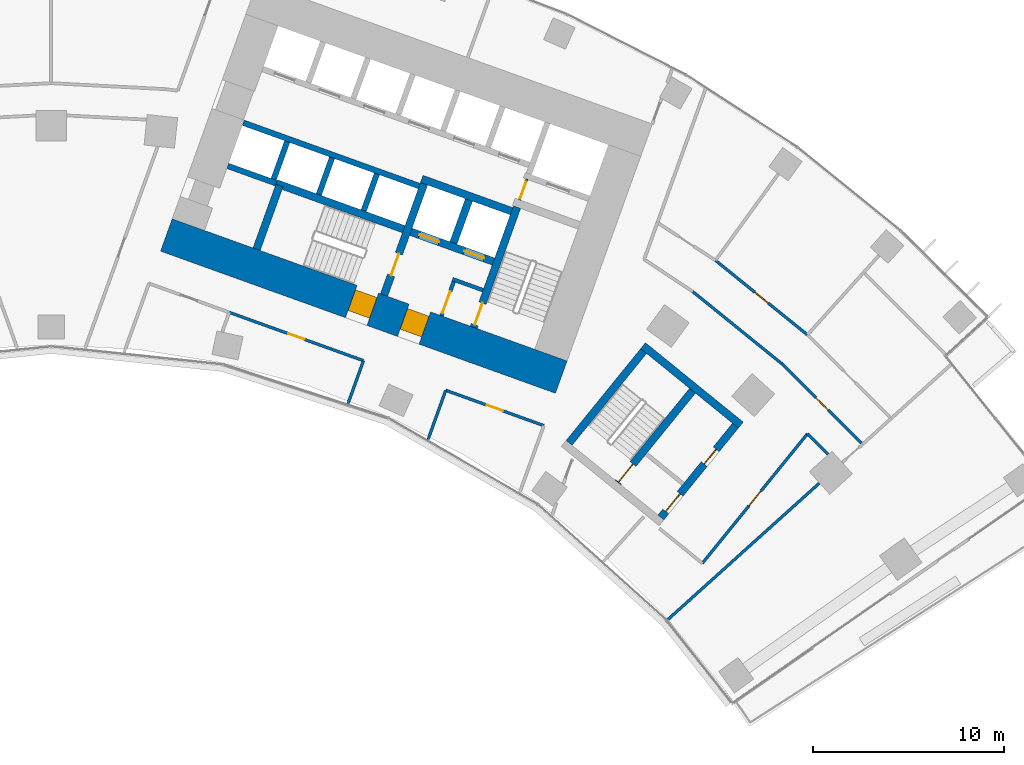
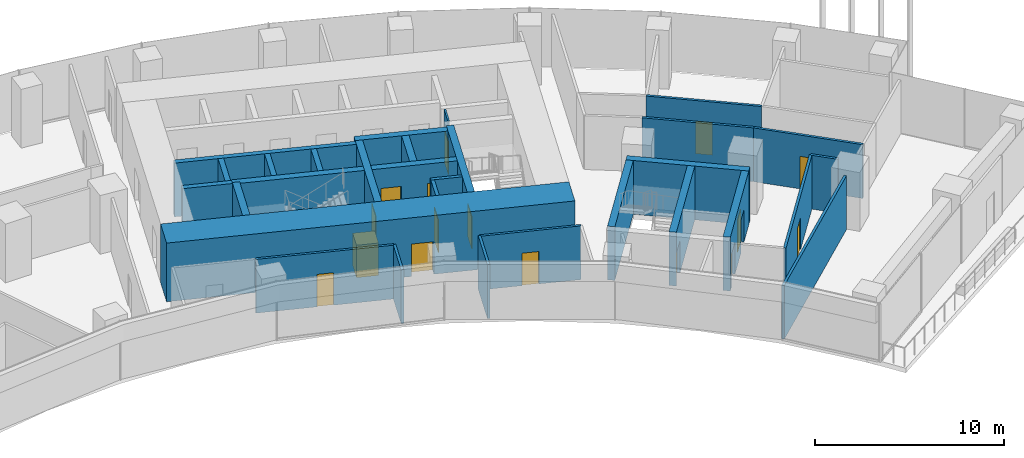
# One storey, part 17 of 21: 29 walls, 16 doors, 16 openings.
"""IFC4 building model written with IfcOpenShell, lengths in metres."""

from ifc_helpers import new_model, si_unit, direction, frame, frame_2d, origin, place, context, subcontext, project, spatial, rectangle, extrude, material, layer, layer_set, type_object, element, fill, save


model = new_model("IFC4")

# Units and contexts
model_context = context("Model", 3, precision=1e-05, world=origin(), true_north=direction((0.0, 1.0)))
body_context = subcontext(model_context, "Body", "Model", "MODEL_VIEW")
ifc_project = project(units=[si_unit("LENGTHUNIT", "METRE"), si_unit("AREAUNIT", "SQUARE_METRE"), si_unit("VOLUMEUNIT", "CUBIC_METRE"), si_unit("PLANEANGLEUNIT", "RADIAN"), si_unit("MASSUNIT", "GRAM", prefix="KILO")], contexts=[model_context])

# Site, building, storey
site_placement = place(None, origin())
site = spatial("IfcSite", under=ifc_project, at=site_placement, CompositionType="ELEMENT")
building_placement = place(site_placement, origin())
building = spatial("IfcBuilding", under=site, at=building_placement, Name="Stone Belt Terrace Tower", CompositionType="ELEMENT")
storey_placement = place(building_placement, frame((0.0, 0.0, 56.60009765625)))
storey = spatial("IfcBuildingStorey", under=building, at=storey_placement, Name="L13", CompositionType="ELEMENT", Elevation=56.60009765625)

# Wall, opening, door
ifc_material_1 = material(Name="Plasterboard partition")
ifc_layer_1 = layer(ifc_material_1, 0.10009765625)
ifc_layer_set_1 = layer_set([ifc_layer_1], Name="Core partition 100")
wall_type_1 = type_object("IfcWallType", Name="Core partition 100", PredefinedType="PARTITIONING", material=ifc_layer_set_1)
wall_1_placement = place(storey_placement, frame((24.555908203125, 51.10400390625, 0.0), z_axis=(0.0, 0.0, 1.0), x_axis=(0.338621735342, 0.94092258999, 0.0)))
wall_1 = element("IfcWall", 1, at=wall_1_placement, inside=storey, type_object=wall_type_1, Name="Core B wall", PredefinedType="PARTITIONING", context=body_context, shape_type="SweptSolid", body=[
    extrude(rectangle(XDim=1.14990234375, YDim=0.10009765625, at=frame_2d((0.574951171875, 0.0))), origin(), (0.0, 0.0, 1.0), 3.47998046875),
])
opening_1_placement = place(wall_1_placement, frame((0.050048828125, 0.0, 0.0)))
opening_1 = element("IfcOpeningElement", 2, at=opening_1_placement, cuts=wall_1, Name="Opening L13-C09", PredefinedType="OPENING", context=body_context, shape_type="SweptSolid", body=[
    extrude(rectangle(XDim=1.0, YDim=2.10009765625, at=frame_2d((0.5, 1.050048828125))), frame((0.0, 0.06005859375, 0.0), z_axis=(0.0, -1.0, 0.0), x_axis=(1.0, 0.0, 0.0)), (0.0, 0.0, 1.0), 0.1201171875),
])
ifc_material_2 = material(Name="Timber door leaf", Category="wood")
door_type_1 = type_object("IfcDoorType", Name="Core room door 1000", OperationType="SINGLE_SWING_LEFT", PredefinedType="DOOR", material=ifc_material_2)
door_1_placement = place(opening_1_placement, origin())
door_1 = element("IfcDoor", 3, at=door_1_placement, inside=storey, type_object=door_type_1, Name="Service lift lobby door core B", OperationType="SINGLE_SWING_RIGHT", OverallHeight=2.10009765625, OverallWidth=1.0, PredefinedType="DOOR", context=body_context, shape_type="SweptSolid", body=[
    extrude(rectangle(XDim=1.0, YDim=2.10009765625, at=frame_2d((0.5, 1.050048828125))), frame((0.0, 0.02490234375, 0.0), z_axis=(0.0, -1.0, 0.0), x_axis=(1.0, 0.0, 0.0)), (0.0, 0.0, 1.0), 0.050048828125),
])
fill(opening_1, door_1)

# Wall, openings, doors
ifc_material_3 = material(Name="Concrete B80", Category="concrete")
ifc_layer_2 = layer(ifc_material_3, 1.800048828125)
ifc_layer_set_2 = layer_set([ifc_layer_2], Name="Core wall 1800 B80")
wall_type_2 = type_object("IfcWallType", Name="Core wall 1800 B80", PredefinedType="SHEAR", material=ifc_layer_set_2)
wall_2_placement = place(storey_placement, frame((6.039306640625, 49.265380859375, 0.0), z_axis=(0.0, 0.0, 1.0), x_axis=(0.940921642213, -0.338624368902, 0.0)))
wall_2 = element("IfcWall", 4, at=wall_2_placement, inside=storey, type_object=wall_type_2, Name="Core B wall concave L13", PredefinedType="SHEAR", context=body_context, shape_type="SweptSolid", body=[
    extrude(rectangle(XDim=22.0, YDim=1.800048828125, at=frame_2d((11.0, 0.0))), origin(), (0.0, 0.0, 1.0), 3.7998046875),
])
opening_2_placement = place(wall_2_placement, frame((13.199951171875, 0.0, 0.0)))
opening_2 = element("IfcOpeningElement", 5, at=opening_2_placement, cuts=wall_2, Name="Opening L13-C13", PredefinedType="OPENING", context=body_context, shape_type="SweptSolid", body=[
    extrude(rectangle(XDim=1.199951171875, YDim=2.10009765625, at=frame_2d((0.60009765625, 1.050048828125))), frame((0.0, 0.909912109375, 0.0), z_axis=(0.0, -1.0, 0.0), x_axis=(1.0, 0.0, 0.0)), (0.0, 0.0, 1.0), 1.820068359375),
])
opening_3_placement = place(wall_2_placement, frame((10.300048828125, 0.0, 0.0)))
opening_3 = element("IfcOpeningElement", 6, at=opening_3_placement, cuts=wall_2, Name="Opening L13-C15", PredefinedType="OPENING", context=body_context, shape_type="SweptSolid", body=[
    extrude(rectangle(XDim=1.199951171875, YDim=2.10009765625, at=frame_2d((0.60009765625, 1.050048828125))), frame((0.0, 0.909912109375, 0.0), z_axis=(0.0, -1.0, 0.0), x_axis=(1.0, 0.0, 0.0)), (0.0, 0.0, 1.0), 1.820068359375),
])
ifc_material_4 = material(Name="Steel door leaf", Category="steel")
door_type_2 = type_object("IfcDoorType", Name="Fire-fighting lobby door 1200", OperationType="SINGLE_SWING_LEFT", PredefinedType="DOOR", material=ifc_material_4)
door_2_placement = place(opening_2_placement, origin())
door_2 = element("IfcDoor", 7, at=door_2_placement, inside=storey, type_object=door_type_2, Name="Fire-fighting lobby door core B", OperationType="SINGLE_SWING_RIGHT", OverallHeight=2.10009765625, OverallWidth=1.199951171875, PredefinedType="DOOR", context=body_context, shape_type="SweptSolid", body=[
    extrude(rectangle(XDim=1.199951171875, YDim=2.10009765625, at=frame_2d((0.60009765625, 1.050048828125))), frame((0.0, 0.655029296875, 0.0), z_axis=(0.0, -1.0, 0.0), x_axis=(1.0, 0.0, 0.0)), (0.0, 0.0, 1.0), 1.14990234375),
])
fill(opening_2, door_2)
door_type_3 = type_object("IfcDoorType", Name="Stair door 1200", OperationType="SINGLE_SWING_LEFT", PredefinedType="DOOR", material=ifc_material_4)
door_3_placement = place(opening_3_placement, origin())
door_3 = element("IfcDoor", 8, at=door_3_placement, inside=storey, type_object=door_type_3, Name="Stair 2 exit door core B", OperationType="SINGLE_SWING_LEFT", OverallHeight=2.10009765625, OverallWidth=1.199951171875, PredefinedType="DOOR", context=body_context, shape_type="SweptSolid", body=[
    extrude(rectangle(XDim=1.199951171875, YDim=2.10009765625, at=frame_2d((0.60009765625, 1.050048828125))), frame((0.0, 0.655029296875, 0.0), z_axis=(0.0, -1.0, 0.0), x_axis=(1.0, 0.0, 0.0)), (0.0, 0.0, 1.0), 1.14990234375),
])
fill(opening_3, door_3)

# Walls
ifc_layer_3 = layer(ifc_material_3, 0.39990234375)
ifc_layer_set_3 = layer_set([ifc_layer_3], Name="Fire-fighting lift shaft wall 400")
wall_type_3 = type_object("IfcWallType", Name="Fire-fighting lift shaft wall 400", PredefinedType="SHEAR", material=ifc_layer_set_3)
wall_3_placement = place(storey_placement, frame((24.130615234375, 50.512939453125, 0.0), z_axis=(0.0, 0.0, 1.0), x_axis=(-0.94091168377, 0.338652038744, 0.0)))
element("IfcWall", 9, at=wall_3_placement, inside=storey, type_object=wall_type_3, Name="Core B wall", PredefinedType="SHEAR", context=body_context, shape_type="SweptSolid", body=[
    extrude(rectangle(XDim=5.000244140625, YDim=0.39990234375, at=frame_2d((2.5, 0.0))), origin(), (0.0, 0.0, 1.0), 3.47998046875),
])
wall_4_placement = place(storey_placement, frame((21.0859375, 48.845458984375, 0.0), z_axis=(0.0, 0.0, 1.0), x_axis=(0.338629416206, 0.940919825745, 0.0)))
element("IfcWall", 10, at=wall_4_placement, inside=storey, type_object=wall_type_3, Name="Core B wall", PredefinedType="SHEAR", context=body_context, shape_type="SweptSolid", body=[
    extrude(rectangle(XDim=2.400146484375, YDim=0.39990234375, at=frame_2d((1.2001953125, 0.0))), origin(), (0.0, 0.0, 1.0), 3.47998046875),
])
ifc_layer_4 = layer(ifc_material_3, 0.300048828125)
ifc_layer_set_4 = layer_set([ifc_layer_4], Name="Lift shaft wall 300")
wall_type_4 = type_object("IfcWallType", Name="Lift shaft wall 300", PredefinedType="SHEAR", material=ifc_layer_set_4)
wall_5_placement = place(storey_placement, frame((19.29052734375, 51.829833984375, 0.0), z_axis=(0.0, 0.0, 1.0), x_axis=(-0.940925833398, 0.338612722803, 0.0)))
element("IfcWall", 11, at=wall_5_placement, inside=storey, type_object=wall_type_4, Name="Core B wall", PredefinedType="SHEAR", context=body_context, shape_type="SweptSolid", body=[
    extrude(rectangle(XDim=9.7998046875, YDim=0.300048828125, at=frame_2d((4.89990234375, 0.0))), origin(), (0.0, 0.0, 1.0), 3.47998046875),
])
for number, where, z_axis, x_axis, name in (
    (12, (16.38134765625, 50.53857421875, 0.0), (0.0, 0.0, 1.0), (0.338681515556, 0.940901073982, 0.0), "Core B wall"),
    (13, (14.029052734375, 51.38525390625, 0.0), (0.0, 0.0, 1.0), (0.338681515556, 0.940901073982, 0.0), "Core B wall"),
):
    element("IfcWall", number, at=place(storey_placement, frame(where, z_axis=z_axis, x_axis=x_axis)), inside=storey, type_object=wall_type_4, Name=name, PredefinedType="SHEAR", context=body_context, shape_type="SweptSolid", body=[
        extrude(rectangle(XDim=2.050048828125, YDim=0.300048828125, at=frame_2d((1.02490234375, 0.0))), origin(), (0.0, 0.0, 1.0), 3.47998046875),
    ])
wall_6_placement = place(storey_placement, frame((11.797119140625, 51.975830078125, 0.0), z_axis=(0.0, 0.0, 1.0), x_axis=(-0.940910465161, 0.33865542451, 0.0)))
element("IfcWall", 14, at=wall_6_placement, inside=storey, type_object=wall_type_4, Name="Core B wall", PredefinedType="SHEAR", context=body_context, shape_type="SweptSolid", body=[
    extrude(rectangle(XDim=2.69970703125, YDim=0.300048828125, at=frame_2d((1.349853515625, 0.0))), origin(), (0.0, 0.0, 1.0), 3.47998046875),
])
wall_7_placement = place(storey_placement, frame((11.659912109375, 52.184814453125, 0.0), z_axis=(0.0, 0.0, 1.0), x_axis=(0.338670064856, 0.940905195634, 0.0)))
element("IfcWall", 15, at=wall_7_placement, inside=storey, type_object=wall_type_4, Name="Core B wall", PredefinedType="SHEAR", context=body_context, shape_type="SweptSolid", body=[
    extrude(rectangle(XDim=2.099853515625, YDim=0.300048828125, at=frame_2d((1.0498046875, 0.0))), origin(), (0.0, 0.0, 1.0), 3.47998046875),
])
ifc_material_5 = material(Name="Gypsum board partition")
ifc_layer_5 = layer(ifc_material_5, 0.14990234375)
ifc_layer_set_5 = layer_set([ifc_layer_5], Name="PARTITION 150 EI 60")
wall_type_5 = type_object("IfcWallType", Name="PARTITION 150 EI 60", PredefinedType="PARTITIONING", material=ifc_layer_set_5)
wall_8_placement = place(storey_placement, frame((15.56201171875, 40.431640625, 0.0), z_axis=(0.0, 0.0, 1.0), x_axis=(0.338766581984, 0.9408704496, 0.0)))
element("IfcWall", 16, at=wall_8_placement, inside=storey, type_object=wall_type_5, Name="L13/wall/i031", PredefinedType="PARTITIONING", context=body_context, shape_type="SweptSolid", body=[
    extrude(rectangle(XDim=2.385498046875, YDim=0.14990234375, at=frame_2d((1.19287109375, 0.0))), origin(), (0.0, 0.0, 1.0), 3.47998046875),
])

# Wall, opening, door
wall_9_placement = place(storey_placement, frame((16.368896484375, 42.678955078125, 0.0), z_axis=(0.0, 0.0, 1.0), x_axis=(-0.940945636493, 0.338557689565, 0.0)))
wall_9 = element("IfcWall", 17, at=wall_9_placement, inside=storey, type_object=wall_type_5, Name="L13/wall/i032", PredefinedType="PARTITIONING", context=body_context, shape_type="SweptSolid", body=[
    extrude(rectangle(XDim=7.481689453125, YDim=0.14990234375, at=frame_2d((3.74072265625, 0.0))), origin(), (0.0, 0.0, 1.0), 3.47998046875),
])
opening_4_placement = place(wall_9_placement, frame((3.291015625, 0.0, 0.0)))
opening_4 = element("IfcOpeningElement", 18, at=opening_4_placement, cuts=wall_9, Name="Opening D-A4-08", PredefinedType="OPENING", context=body_context, shape_type="SweptSolid", body=[
    extrude(rectangle(XDim=0.89990234375, YDim=2.10009765625, at=frame_2d((0.449951171875, 1.050048828125))), frame((0.0, 0.0849609375, 0.0), z_axis=(0.0, -1.0, 0.0), x_axis=(1.0, 0.0, 0.0)), (0.0, 0.0, 1.0), 0.169921875),
])
door_type_4 = type_object("IfcDoorType", Name="OFFICE DOOR 900 X 2100", OperationType="NOTDEFINED", PredefinedType="DOOR", material=ifc_material_2)
door_4_placement = place(opening_4_placement, origin())
door_4 = element("IfcDoor", 19, at=door_4_placement, inside=storey, type_object=door_type_4, Name="L13/door/i08", OperationType="SINGLE_SWING_RIGHT", OverallHeight=2.10009765625, OverallWidth=0.89990234375, PredefinedType="DOOR", context=body_context, shape_type="SweptSolid", body=[
    extrude(rectangle(XDim=0.89990234375, YDim=2.10009765625, at=frame_2d((0.449951171875, 1.050048828125))), frame((0.0, 0.02490234375, 0.0), z_axis=(0.0, -1.0, 0.0), x_axis=(1.0, 0.0, 0.0)), (0.0, 0.0, 1.0), 0.050048828125),
])
fill(opening_4, door_4)

wall_10_placement = place(storey_placement, frame((25.823974609375, 39.27490234375, 0.0), z_axis=(0.0, 0.0, 1.0), x_axis=(-0.940898242366, 0.338689382048, 0.0)))
wall_10 = element("IfcWall", 20, at=wall_10_placement, inside=storey, type_object=wall_type_5, Name="L13/wall/i033", PredefinedType="PARTITIONING", context=body_context, shape_type="SweptSolid", body=[
    extrude(rectangle(XDim=5.459716796875, YDim=0.14990234375, at=frame_2d((2.72998046875, 0.0))), origin(), (0.0, 0.0, 1.0), 3.47998046875),
])
opening_5_placement = place(wall_10_placement, frame((2.27978515625, 0.0, 0.0)))
opening_5 = element("IfcOpeningElement", 21, at=opening_5_placement, cuts=wall_10, Name="Opening D-A4-09", PredefinedType="OPENING", context=body_context, shape_type="SweptSolid", body=[
    extrude(rectangle(XDim=0.89990234375, YDim=2.10009765625, at=frame_2d((0.449951171875, 1.050048828125))), frame((0.0, 0.0849609375, 0.0), z_axis=(0.0, -1.0, 0.0), x_axis=(1.0, 0.0, 0.0)), (0.0, 0.0, 1.0), 0.169921875),
])
door_5_placement = place(opening_5_placement, origin())
door_5 = element("IfcDoor", 22, at=door_5_placement, inside=storey, type_object=door_type_4, Name="L13/door/i09", OperationType="SINGLE_SWING_RIGHT", OverallHeight=2.10009765625, OverallWidth=0.89990234375, PredefinedType="DOOR", context=body_context, shape_type="SweptSolid", body=[
    extrude(rectangle(XDim=0.89990234375, YDim=2.10009765625, at=frame_2d((0.449951171875, 1.050048828125))), frame((0.0, 0.02490234375, 0.0), z_axis=(0.0, -1.0, 0.0), x_axis=(1.0, 0.0, 0.0)), (0.0, 0.0, 1.0), 0.050048828125),
])
fill(opening_5, door_5)

# Walls
wall_11_placement = place(storey_placement, frame((20.68408203125, 41.123046875, 0.0), z_axis=(0.0, 0.0, 1.0), x_axis=(-0.338747893052, -0.940877178463, 0.0)))
element("IfcWall", 23, at=wall_11_placement, inside=storey, type_object=wall_type_5, Name="L13/wall/i034", PredefinedType="PARTITIONING", context=body_context, shape_type="SweptSolid", body=[
    extrude(rectangle(XDim=2.7373046875, YDim=0.14990234375, at=frame_2d((1.36865234375, 0.0))), origin(), (0.0, 0.0, 1.0), 3.47998046875),
])
wall_12_placement = place(storey_placement, frame((32.32666015625, 29.107177734375, 0.0), z_axis=(0.0, 0.0, 1.0), x_axis=(0.743125739533, 0.66915180284, 0.0)))
element("IfcWall", 24, at=wall_12_placement, inside=storey, type_object=wall_type_5, Name="L13/wall/i060", PredefinedType="PARTITIONING", context=body_context, shape_type="SweptSolid", body=[
    extrude(rectangle(XDim=10.670166015625, YDim=0.14990234375, at=frame_2d((5.3349609375, 0.0))), origin(), (0.0, 0.0, 1.0), 3.47998046875),
])
wall_13_placement = place(storey_placement, frame((40.71240234375, 37.7744140625, 0.0), z_axis=(0.0, 0.0, 1.0), x_axis=(-0.707106781187, 0.707106781187, 0.0)))
element("IfcWall", 25, at=wall_13_placement, inside=storey, type_object=wall_type_5, Name="L13/wall/i063", PredefinedType="PARTITIONING", context=body_context, shape_type="SweptSolid", body=[
    extrude(rectangle(XDim=1.51806640625, YDim=0.14990234375, at=frame_2d((0.759033203125, 0.0))), origin(), (0.0, 0.0, 1.0), 3.47998046875),
])
wall_14_placement = place(storey_placement, frame((33.635986328125, 46.2958984375, 0.0), z_axis=(0.0, 0.0, 1.0), x_axis=(0.77714422733, -0.629322532513, 0.0)))
element("IfcWall", 26, at=wall_14_placement, inside=storey, type_object=wall_type_5, Name="L13/wall/i065", PredefinedType="PARTITIONING", context=body_context, shape_type="SweptSolid", body=[
    extrude(rectangle(XDim=5.98876953125, YDim=0.14990234375, at=frame_2d((2.994384765625, 0.0))), origin(), (0.0, 0.0, 1.0), 3.47998046875),
])

# Wall, opening, door
wall_15_placement = place(storey_placement, frame((38.291015625, 42.52587890625, 0.0), z_axis=(0.0, 0.0, 1.0), x_axis=(0.707106781187, -0.707106781187, 0.0)))
wall_15 = element("IfcWall", 27, at=wall_15_placement, inside=storey, type_object=wall_type_5, Name="L13/wall/i066", PredefinedType="PARTITIONING", context=body_context, shape_type="SweptSolid", body=[
    extrude(rectangle(XDim=5.989013671875, YDim=0.14990234375, at=frame_2d((2.99462890625, 0.0))), origin(), (0.0, 0.0, 1.0), 3.47998046875),
])
opening_6_placement = place(wall_15_placement, frame((2.544677734375, 0.0, 0.0)))
opening_6 = element("IfcOpeningElement", 28, at=opening_6_placement, cuts=wall_15, Name="Opening D-A4-24", PredefinedType="OPENING", context=body_context, shape_type="SweptSolid", body=[
    extrude(rectangle(XDim=0.89990234375, YDim=2.10009765625, at=frame_2d((0.449951171875, 1.050048828125))), frame((0.0, 0.0849609375, 0.0), z_axis=(0.0, -1.0, 0.0), x_axis=(1.0, 0.0, 0.0)), (0.0, 0.0, 1.0), 0.169921875),
])
door_6_placement = place(opening_6_placement, origin())
door_6 = element("IfcDoor", 29, at=door_6_placement, inside=storey, type_object=door_type_4, Name="L13/door/i24", OperationType="SINGLE_SWING_RIGHT", OverallHeight=2.10009765625, OverallWidth=0.89990234375, PredefinedType="DOOR", context=body_context, shape_type="SweptSolid", body=[
    extrude(rectangle(XDim=0.89990234375, YDim=2.10009765625, at=frame_2d((0.449951171875, 1.050048828125))), frame((0.0, 0.02490234375, 0.0), z_axis=(0.0, -1.0, 0.0), x_axis=(1.0, 0.0, 0.0)), (0.0, 0.0, 1.0), 0.050048828125),
])
fill(opening_6, door_6)

wall_16_placement = place(storey_placement, frame((39.64306640625, 38.843994140625, 0.0), z_axis=(0.0, 0.0, 1.0), x_axis=(-0.630226712005, -0.776411161354, 0.0)))
wall_16 = element("IfcWall", 30, at=wall_16_placement, inside=storey, type_object=wall_type_5, Name="L13/wall/i067", PredefinedType="PARTITIONING", context=body_context, shape_type="SweptSolid", body=[
    extrude(rectangle(XDim=8.742919921875, YDim=0.14990234375, at=frame_2d((4.37158203125, 0.0))), origin(), (0.0, 0.0, 1.0), 3.47998046875),
])
opening_7_placement = place(wall_16_placement, frame((3.871337890625, 0.0, 0.0)))
opening_7 = element("IfcOpeningElement", 31, at=opening_7_placement, cuts=wall_16, Name="Opening D-A4-23", PredefinedType="OPENING", context=body_context, shape_type="SweptSolid", body=[
    extrude(rectangle(XDim=1.0, YDim=2.10009765625, at=frame_2d((0.5, 1.050048828125))), frame((0.0, 0.0849609375, 0.0), z_axis=(0.0, -1.0, 0.0), x_axis=(1.0, 0.0, 0.0)), (0.0, 0.0, 1.0), 0.169921875),
])
ifc_material_6 = material(Name="Timber fire door leaf", Category="wood")
door_type_5 = type_object("IfcDoorType", Name="TENANCY ENTRANCE DOOR 1000 X 2100", OperationType="NOTDEFINED", PredefinedType="DOOR", material=ifc_material_6)
door_7_placement = place(opening_7_placement, origin())
door_7 = element("IfcDoor", 32, at=door_7_placement, inside=storey, type_object=door_type_5, Name="L13/door/i23", OperationType="SINGLE_SWING_RIGHT", OverallHeight=2.10009765625, OverallWidth=1.0, PredefinedType="DOOR", context=body_context, shape_type="SweptSolid", body=[
    extrude(rectangle(XDim=1.0, YDim=2.10009765625, at=frame_2d((0.5, 1.050048828125))), frame((0.0, 0.02490234375, 0.0), z_axis=(0.0, -1.0, 0.0), x_axis=(1.0, 0.0, 0.0)), (0.0, 0.0, 1.0), 0.050048828125),
])
fill(opening_7, door_7)

wall_17_placement = place(storey_placement, frame((34.825927734375, 47.93408203125, 0.0), z_axis=(0.0, 0.0, 1.0), x_axis=(0.777094493267, -0.629383943658, 0.0)))
wall_17 = element("IfcWall", 33, at=wall_17_placement, inside=storey, type_object=wall_type_5, Name="L13/wall/i071", PredefinedType="PARTITIONING", context=body_context, shape_type="SweptSolid", body=[
    extrude(rectangle(XDim=6.201416015625, YDim=0.14990234375, at=frame_2d((3.1005859375, 0.0))), origin(), (0.0, 0.0, 1.0), 3.47998046875),
])
opening_8_placement = place(wall_17_placement, frame((2.650634765625, 0.0, 0.0)))
opening_8 = element("IfcOpeningElement", 34, at=opening_8_placement, cuts=wall_17, Name="Opening D-A4-26", PredefinedType="OPENING", context=body_context, shape_type="SweptSolid", body=[
    extrude(rectangle(XDim=0.89990234375, YDim=2.10009765625, at=frame_2d((0.449951171875, 1.050048828125))), frame((0.0, 0.0849609375, 0.0), z_axis=(0.0, -1.0, 0.0), x_axis=(1.0, 0.0, 0.0)), (0.0, 0.0, 1.0), 0.169921875),
])
door_8_placement = place(opening_8_placement, origin())
door_8 = element("IfcDoor", 35, at=door_8_placement, inside=storey, type_object=door_type_4, Name="L13/door/i26", OperationType="SINGLE_SWING_RIGHT", OverallHeight=2.10009765625, OverallWidth=0.89990234375, PredefinedType="DOOR", context=body_context, shape_type="SweptSolid", body=[
    extrude(rectangle(XDim=0.89990234375, YDim=2.10009765625, at=frame_2d((0.449951171875, 1.050048828125))), frame((0.0, 0.02490234375, 0.0), z_axis=(0.0, -1.0, 0.0), x_axis=(1.0, 0.0, 0.0)), (0.0, 0.0, 1.0), 0.050048828125),
])
fill(opening_8, door_8)

# Wall
ifc_material_7 = material(Name="Concrete masonry block", Category="masonry")
ifc_layer_6 = layer(ifc_material_7, 0.199951171875)
ifc_layer_set_6 = layer_set([ifc_layer_6], Name="Rated lobby wall 200")
wall_type_6 = type_object("IfcWallType", Name="Rated lobby wall 200", PredefinedType="PARTITIONING", material=ifc_layer_set_6)
wall_18_placement = place(storey_placement, frame((22.640625, 46.373046875, 0.0), z_axis=(0.0, 0.0, 1.0), x_axis=(-0.940966110313, 0.338500781747, 0.0)))
element("IfcWall", 36, at=wall_18_placement, inside=storey, type_object=wall_type_6, Name="Core B wall", PredefinedType="PARTITIONING", context=body_context, shape_type="SweptSolid", body=[
    extrude(rectangle(XDim=1.699951171875, YDim=0.199951171875, at=frame_2d((0.85009765625, 0.0))), origin(), (0.0, 0.0, 1.0), 3.47998046875),
])

# Wall, opening, door
wall_19_placement = place(storey_placement, frame((20.4580078125, 45.032958984375, 0.0), z_axis=(0.0, 0.0, 1.0), x_axis=(0.338573865316, 0.940939816208, 0.0)))
wall_19 = element("IfcWall", 37, at=wall_19_placement, inside=storey, type_object=wall_type_6, Name="Core B wall", PredefinedType="PARTITIONING", context=body_context, shape_type="SweptSolid", body=[
    extrude(rectangle(XDim=1.900146484375, YDim=0.199951171875, at=frame_2d((0.9501953125, 0.0))), origin(), (0.0, 0.0, 1.0), 3.47998046875),
])
opening_9_placement = place(wall_19_placement, frame((0.14990234375, 0.0, 0.0)))
opening_9 = element("IfcOpeningElement", 38, at=opening_9_placement, cuts=wall_19, Name="Opening L13-C12", PredefinedType="OPENING", context=body_context, shape_type="SweptSolid", body=[
    extrude(rectangle(XDim=1.199951171875, YDim=2.10009765625, at=frame_2d((0.60009765625, 1.050048828125))), frame((0.0, 0.10986328125, 0.0), z_axis=(0.0, -1.0, 0.0), x_axis=(1.0, 0.0, 0.0)), (0.0, 0.0, 1.0), 0.219970703125),
])
door_9_placement = place(opening_9_placement, origin())
door_9 = element("IfcDoor", 39, at=door_9_placement, inside=storey, type_object=door_type_3, Name="Stair airlock door core B", OperationType="SINGLE_SWING_RIGHT", OverallHeight=2.10009765625, OverallWidth=1.199951171875, PredefinedType="DOOR", context=body_context, shape_type="SweptSolid", body=[
    extrude(rectangle(XDim=1.199951171875, YDim=2.10009765625, at=frame_2d((0.60009765625, 1.050048828125))), frame((0.0, 0.02490234375, 0.0), z_axis=(0.0, -1.0, 0.0), x_axis=(1.0, 0.0, 0.0)), (0.0, 0.0, 1.0), 0.050048828125),
])
fill(opening_9, door_9)

ifc_layer_7 = layer(ifc_material_3, 0.39990234375)
ifc_layer_set_7 = layer_set([ifc_layer_7], Name="Stair enclosure wall 400")
wall_type_7 = type_object("IfcWallType", Name="Stair enclosure wall 400", PredefinedType="SHEAR", material=ifc_layer_set_7)
wall_20_placement = place(storey_placement, frame((22.151611328125, 44.42333984375, 0.0), z_axis=(0.0, 0.0, 1.0), x_axis=(0.338625272931, 0.940921316866, 0.0)))
wall_20 = element("IfcWall", 40, at=wall_20_placement, inside=storey, type_object=wall_type_7, Name="Core B wall", PredefinedType="SHEAR", context=body_context, shape_type="SweptSolid", body=[
    extrude(rectangle(XDim=6.699951171875, YDim=0.39990234375, at=frame_2d((3.35009765625, 0.0))), origin(), (0.0, 0.0, 1.0), 3.47998046875),
])
opening_10_placement = place(wall_20_placement, frame((0.14990234375, 0.0, 0.0)))
opening_10 = element("IfcOpeningElement", 41, at=opening_10_placement, cuts=wall_20, Name="Opening L13-C11", PredefinedType="OPENING", context=body_context, shape_type="SweptSolid", body=[
    extrude(rectangle(XDim=1.199951171875, YDim=2.10009765625, at=frame_2d((0.60009765625, 1.050048828125))), frame((0.0, 0.2099609375, 0.0), z_axis=(0.0, -1.0, 0.0), x_axis=(1.0, 0.0, 0.0)), (0.0, 0.0, 1.0), 0.419921875),
])
door_10_placement = place(opening_10_placement, origin())
door_10 = element("IfcDoor", 42, at=door_10_placement, inside=storey, type_object=door_type_3, Name="Stair 1 door core B", OperationType="SINGLE_SWING_RIGHT", OverallHeight=2.10009765625, OverallWidth=1.199951171875, PredefinedType="DOOR", context=body_context, shape_type="SweptSolid", body=[
    extrude(rectangle(XDim=1.199951171875, YDim=2.10009765625, at=frame_2d((0.60009765625, 1.050048828125))), frame((0.0, 0.02490234375, 0.0), z_axis=(0.0, -1.0, 0.0), x_axis=(1.0, 0.0, 0.0)), (0.0, 0.0, 1.0), 0.050048828125),
])
fill(opening_10, door_10)

# Wall, openings, doors
wall_21_placement = place(storey_placement, frame((23.182373046875, 47.87841796875, 0.0), z_axis=(0.0, 0.0, 1.0), x_axis=(-0.940921101762, 0.338625870628, 0.0)))
wall_21 = element("IfcWall", 43, at=wall_21_placement, inside=storey, type_object=wall_type_7, Name="Core B wall", PredefinedType="SHEAR", context=body_context, shape_type="SweptSolid", body=[
    extrude(rectangle(XDim=12.10009765625, YDim=0.39990234375, at=frame_2d((6.050048828125, 0.0))), origin(), (0.0, 0.0, 1.0), 3.47998046875),
])
opening_11_placement = place(wall_21_placement, frame((0.52001953125, 0.0, 0.0)))
opening_11 = element("IfcOpeningElement", 44, at=opening_11_placement, cuts=wall_21, Name="Opening L13-LD16", PredefinedType="OPENING", context=body_context, shape_type="SweptSolid", body=[
    extrude(rectangle(XDim=1.10009765625, YDim=2.199951171875, at=frame_2d((0.550048828125, 1.10009765625))), frame((0.0, 0.2099609375, 0.0), z_axis=(0.0, -1.0, 0.0), x_axis=(1.0, 0.0, 0.0)), (0.0, 0.0, 1.0), 0.419921875),
])
opening_12_placement = place(wall_21_placement, frame((3.02001953125, 0.0, 0.0)))
opening_12 = element("IfcOpeningElement", 45, at=opening_12_placement, cuts=wall_21, Name="Opening L13-LD17", PredefinedType="OPENING", context=body_context, shape_type="SweptSolid", body=[
    extrude(rectangle(XDim=1.10009765625, YDim=2.199951171875, at=frame_2d((0.550048828125, 1.10009765625))), frame((0.0, 0.2099609375, 0.0), z_axis=(0.0, -1.0, 0.0), x_axis=(1.0, 0.0, 0.0)), (0.0, 0.0, 1.0), 0.419921875),
])
ifc_material_8 = material(Name="Stainless steel door leaf", Category="steel")
door_type_6 = type_object("IfcDoorType", Name="Landing door 1100", OperationType="SLIDING_TO_LEFT", PredefinedType="DOOR", material=ifc_material_8)
door_11_placement = place(opening_11_placement, origin())
door_11 = element("IfcDoor", 46, at=door_11_placement, inside=storey, type_object=door_type_6, Name="Landing door FF1 core B", OperationType="SLIDING_TO_LEFT", OverallHeight=2.199951171875, OverallWidth=1.10009765625, PredefinedType="DOOR", context=body_context, shape_type="SweptSolid", body=[
    extrude(rectangle(XDim=1.10009765625, YDim=2.199951171875, at=frame_2d((0.550048828125, 1.10009765625))), frame((0.0, 0.02490234375, 0.0), z_axis=(0.0, -1.0, 0.0), x_axis=(1.0, 0.0, 0.0)), (0.0, 0.0, 1.0), 0.050048828125),
])
fill(opening_11, door_11)
door_12_placement = place(opening_12_placement, origin())
door_12 = element("IfcDoor", 47, at=door_12_placement, inside=storey, type_object=door_type_6, Name="Landing door FF2 core B", OperationType="SLIDING_TO_LEFT", OverallHeight=2.199951171875, OverallWidth=1.10009765625, PredefinedType="DOOR", context=body_context, shape_type="SweptSolid", body=[
    extrude(rectangle(XDim=1.10009765625, YDim=2.199951171875, at=frame_2d((0.550048828125, 1.10009765625))), frame((0.0, 0.02490234375, 0.0), z_axis=(0.0, -1.0, 0.0), x_axis=(1.0, 0.0, 0.0)), (0.0, 0.0, 1.0), 0.050048828125),
])
fill(opening_12, door_12)

# Wall, opening, door
wall_22_placement = place(storey_placement, frame((17.447021484375, 46.116455078125, 0.0), z_axis=(0.0, 0.0, 1.0), x_axis=(0.33860791464, 0.940927563707, 0.0)))
wall_22 = element("IfcWall", 48, at=wall_22_placement, inside=storey, type_object=wall_type_7, Name="Core B wall", PredefinedType="SHEAR", context=body_context, shape_type="SweptSolid", body=[
    extrude(rectangle(XDim=6.199951171875, YDim=0.39990234375, at=frame_2d((3.10009765625, 0.0))), origin(), (0.0, 0.0, 1.0), 3.47998046875),
])
opening_13_placement = place(wall_22_placement, frame((1.10009765625, 0.0, 0.0)))
opening_13 = element("IfcOpeningElement", 49, at=opening_13_placement, cuts=wall_22, Name="Opening L13-C14", PredefinedType="OPENING", context=body_context, shape_type="SweptSolid", body=[
    extrude(rectangle(XDim=1.199951171875, YDim=2.10009765625, at=frame_2d((0.60009765625, 1.050048828125))), frame((0.0, 0.2099609375, 0.0), z_axis=(0.0, -1.0, 0.0), x_axis=(1.0, 0.0, 0.0)), (0.0, 0.0, 1.0), 0.419921875),
])
door_13_placement = place(opening_13_placement, origin())
door_13 = element("IfcDoor", 50, at=door_13_placement, inside=storey, type_object=door_type_3, Name="Stair 2 door core B", OperationType="SINGLE_SWING_RIGHT", OverallHeight=2.10009765625, OverallWidth=1.199951171875, PredefinedType="DOOR", context=body_context, shape_type="SweptSolid", body=[
    extrude(rectangle(XDim=1.199951171875, YDim=2.10009765625, at=frame_2d((0.60009765625, 1.050048828125))), frame((0.0, 0.02490234375, 0.0), z_axis=(0.0, -1.0, 0.0), x_axis=(1.0, 0.0, 0.0)), (0.0, 0.0, 1.0), 0.050048828125),
])
fill(opening_13, door_13)

# Walls
wall_23_placement = place(storey_placement, frame((10.766357421875, 48.520751953125, 0.0), z_axis=(0.0, 0.0, 1.0), x_axis=(0.338626928157, 0.94092072117, 0.0)))
element("IfcWall", 51, at=wall_23_placement, inside=storey, type_object=wall_type_7, Name="Core B wall", PredefinedType="SHEAR", context=body_context, shape_type="SweptSolid", body=[
    extrude(rectangle(XDim=3.550048828125, YDim=0.39990234375, at=frame_2d((1.77490234375, 0.0))), origin(), (0.0, 0.0, 1.0), 3.47998046875),
])
wall_24_placement = place(storey_placement, frame((31.02783203125, 43.46337890625, 0.0), z_axis=(0.0, 0.0, 1.0), x_axis=(0.776413760801, -0.630223509589, 0.0)))
element("IfcWall", 52, at=wall_24_placement, inside=storey, type_object=wall_type_7, Name="Exit stair ST3B wall", PredefinedType="SHEAR", context=body_context, shape_type="SweptSolid", body=[
    extrude(rectangle(XDim=6.599853515625, YDim=0.39990234375, at=frame_2d((3.2998046875, 0.0))), origin(), (0.0, 0.0, 1.0), 3.47998046875),
])
wall_25_placement = place(storey_placement, frame((27.149658203125, 38.3681640625, 0.0), z_axis=(0.0, 0.0, 1.0), x_axis=(0.630211551729, 0.776423466973, 0.0)))
element("IfcWall", 53, at=wall_25_placement, inside=storey, type_object=wall_type_7, Name="Exit stair ST3B wall", PredefinedType="SHEAR", context=body_context, shape_type="SweptSolid", body=[
    extrude(rectangle(XDim=6.199951171875, YDim=0.39990234375, at=frame_2d((3.10009765625, 0.0))), origin(), (0.0, 0.0, 1.0), 3.47998046875),
])

# Wall, openings, doors
wall_26_placement = place(storey_placement, frame((31.963623046875, 34.460693359375, 0.0), z_axis=(0.0, 0.0, 1.0), x_axis=(0.630192283849, 0.776439106033, 0.0)))
wall_26 = element("IfcWall", 54, at=wall_26_placement, inside=storey, type_object=wall_type_7, Name="Exit stair ST3B wall", PredefinedType="SHEAR", context=body_context, shape_type="SweptSolid", body=[
    extrude(rectangle(XDim=6.199951171875, YDim=0.39990234375, at=frame_2d((3.10009765625, 0.0))), origin(), (0.0, 0.0, 1.0), 3.47998046875),
])
opening_14_placement = place(wall_26_placement, frame((0.39990234375, 0.0, 0.0)))
opening_14 = element("IfcOpeningElement", 55, at=opening_14_placement, cuts=wall_26, Name="Opening L13-C21", PredefinedType="OPENING", context=body_context, shape_type="SweptSolid", body=[
    extrude(rectangle(XDim=1.199951171875, YDim=2.10009765625, at=frame_2d((0.60009765625, 1.050048828125))), frame((0.0, 0.2099609375, 0.0), z_axis=(0.0, -1.0, 0.0), x_axis=(1.0, 0.0, 0.0)), (0.0, 0.0, 1.0), 0.419921875),
])
opening_15_placement = place(wall_26_placement, frame((3.60009765625, 0.0, 0.0)))
opening_15 = element("IfcOpeningElement", 56, at=opening_15_placement, cuts=wall_26, Name="Opening L13-C22", PredefinedType="OPENING", context=body_context, shape_type="SweptSolid", body=[
    extrude(rectangle(XDim=1.0, YDim=2.10009765625, at=frame_2d((0.5, 1.050048828125))), frame((0.0, 0.2099609375, 0.0), z_axis=(0.0, -1.0, 0.0), x_axis=(1.0, 0.0, 0.0)), (0.0, 0.0, 1.0), 0.419921875),
])
door_14_placement = place(opening_15_placement, origin())
door_14 = element("IfcDoor", 57, at=door_14_placement, inside=storey, type_object=door_type_1, Name="Door to stair pressurisation plant room ST3B", OperationType="SINGLE_SWING_LEFT", OverallHeight=2.10009765625, OverallWidth=1.0, PredefinedType="DOOR", context=body_context, shape_type="SweptSolid", body=[
    extrude(rectangle(XDim=1.0, YDim=2.10009765625, at=frame_2d((0.5, 1.050048828125))), frame((0.0, 0.02490234375, 0.0), z_axis=(0.0, -1.0, 0.0), x_axis=(1.0, 0.0, 0.0)), (0.0, 0.0, 1.0), 0.050048828125),
])
fill(opening_15, door_14)
door_type_7 = type_object("IfcDoorType", Name="Stair airlock door 1200", OperationType="SINGLE_SWING_LEFT", PredefinedType="DOOR", material=ifc_material_4)
door_15_placement = place(opening_14_placement, origin())
door_15 = element("IfcDoor", 58, at=door_15_placement, inside=storey, type_object=door_type_7, Name="Stair airlock door ST3B", OperationType="SINGLE_SWING_LEFT", OverallHeight=2.10009765625, OverallWidth=1.199951171875, PredefinedType="DOOR", context=body_context, shape_type="SweptSolid", body=[
    extrude(rectangle(XDim=1.199951171875, YDim=2.10009765625, at=frame_2d((0.60009765625, 1.050048828125))), frame((0.0, 0.02490234375, 0.0), z_axis=(0.0, -1.0, 0.0), x_axis=(1.0, 0.0, 0.0)), (0.0, 0.0, 1.0), 0.050048828125),
])
fill(opening_14, door_15)

# Wall, opening, door
wall_27_placement = place(storey_placement, frame((29.7119140625, 36.288330078125, 0.0), z_axis=(0.0, 0.0, 1.0), x_axis=(0.630192283849, 0.776439106033, 0.0)))
wall_27 = element("IfcWall", 59, at=wall_27_placement, inside=storey, type_object=wall_type_7, Name="Exit stair ST3B wall", PredefinedType="SHEAR", context=body_context, shape_type="SweptSolid", body=[
    extrude(rectangle(XDim=6.199951171875, YDim=0.39990234375, at=frame_2d((3.10009765625, 0.0))), origin(), (0.0, 0.0, 1.0), 3.47998046875),
])
opening_16_placement = place(wall_27_placement, frame((0.050048828125, 0.0, 0.0)))
opening_16 = element("IfcOpeningElement", 60, at=opening_16_placement, cuts=wall_27, Name="Opening L13-C20", PredefinedType="OPENING", context=body_context, shape_type="SweptSolid", body=[
    extrude(rectangle(XDim=1.199951171875, YDim=2.10009765625, at=frame_2d((0.60009765625, 1.050048828125))), frame((0.0, 0.2099609375, 0.0), z_axis=(0.0, -1.0, 0.0), x_axis=(1.0, 0.0, 0.0)), (0.0, 0.0, 1.0), 0.419921875),
])
door_16_placement = place(opening_16_placement, origin())
door_16 = element("IfcDoor", 61, at=door_16_placement, inside=storey, type_object=door_type_3, Name="Stair door ST3B", OperationType="SINGLE_SWING_RIGHT", OverallHeight=2.10009765625, OverallWidth=1.199951171875, PredefinedType="DOOR", context=body_context, shape_type="SweptSolid", body=[
    extrude(rectangle(XDim=1.199951171875, YDim=2.10009765625, at=frame_2d((0.60009765625, 1.050048828125))), frame((0.0, 0.02490234375, 0.0), z_axis=(0.0, -1.0, 0.0), x_axis=(1.0, 0.0, 0.0)), (0.0, 0.0, 1.0), 0.050048828125),
])
fill(opening_16, door_16)

save(model, "model.ifc")
